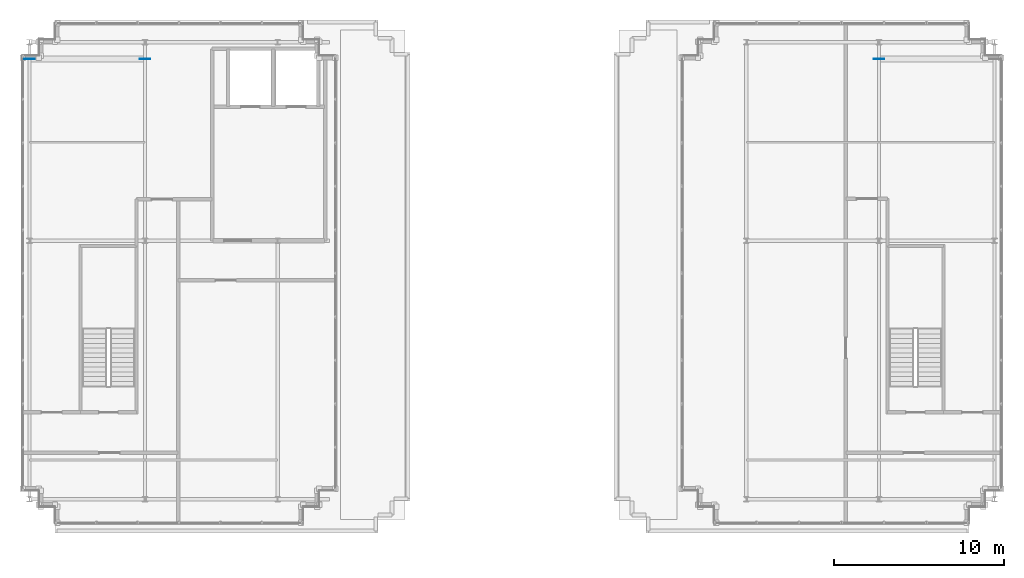
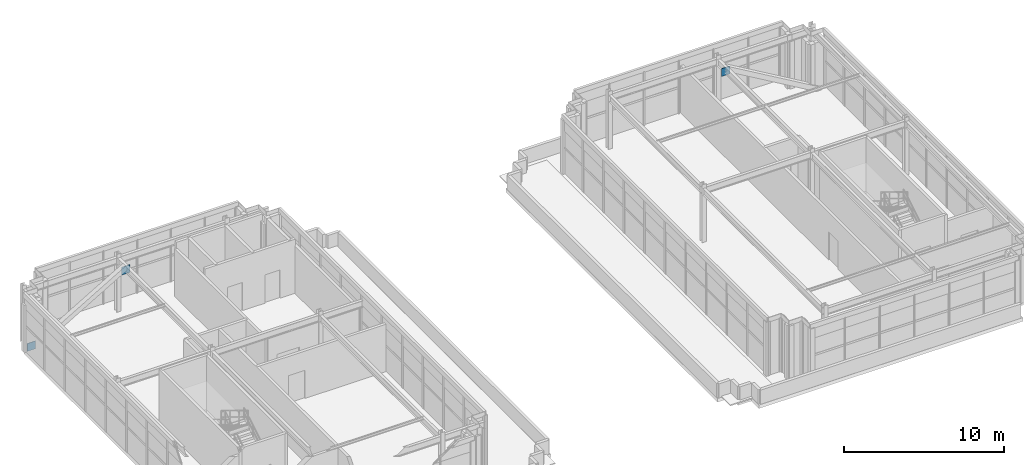
# One storey, part 23 of 28: 3 plates.
"""IFC4 building model written with IfcOpenShell, lengths in metres."""

from ifc_helpers import new_model, si_unit, direction, frame, origin, origin_2d, place, context, subcontext, project, spatial, rectangle, extrude, source, transform, mapped, material, layer, layer_set, type_object, element, save


model = new_model("IFC4")

# Units and contexts
model_context = context("Model", 3, precision=1e-05, world=origin(), true_north=direction((0.0, 1.0)))
body_context = subcontext(model_context, "Body", "Model", "MODEL_VIEW")
ifc_project = project(units=[si_unit("LENGTHUNIT", "METRE"), si_unit("AREAUNIT", "SQUARE_METRE"), si_unit("VOLUMEUNIT", "CUBIC_METRE"), si_unit("PLANEANGLEUNIT", "RADIAN"), si_unit("MASSUNIT", "GRAM", prefix="KILO")], contexts=[model_context])

# Site, building, storey
site_placement = place(None, origin())
site = spatial("IfcSite", under=ifc_project, at=site_placement, CompositionType="ELEMENT")
building_placement = place(site_placement, origin())
building = spatial("IfcBuilding", under=site, at=building_placement, Name="Trelvane Seafront Commons", CompositionType="ELEMENT")
storey_placement = place(building_placement, frame((0.0, 0.0, 312.300048828125)))
storey = spatial("IfcBuildingStorey", under=building, at=storey_placement, Name="L81", CompositionType="ELEMENT", Elevation=312.300048828125)

# Plates
ifc_material = material(Name="Steel SM355 (S355)", Category="steel")
ifc_layer = layer(ifc_material, 0.031982421875, Name="STR-PLT-GUS2")
ifc_layer_set = layer_set([ifc_layer], Name="Steel SM355 (S355)")
plate_type = type_object("IfcPlateType", Name="STR-PLT-GUS2", PredefinedType="SHEET", material=ifc_layer_set)
shared_shape = source(origin(), body_context, "Body", "SweptSolid", [
    extrude(rectangle(XDim=0.60009765625, YDim=0.031982421875, at=origin_2d()), origin(), (0.0, 0.0, 1.0), 0.60009765625),
])
for number, where, z_axis, x_axis, name in (
    (1, (8.800048828125, 44.10009765625, -0.02001953125), (0.0, 0.0, 1.0), (1.0, 0.0, 0.0), "L81 Brace Connection Gusset Plate GP-131"),
    (2, (15.60009765625, 44.10009765625, 3.409912109375), (0.0, 0.0, 1.0), (1.0, 0.0, 0.0), "L81 Brace Connection Gusset Plate GP-132"),
    (3, (58.800048828125, 44.10009765625, 3.409912109375), (0.0, 0.0, 1.0), (1.0, 0.0, 0.0), "L81 Brace Connection Gusset Plate GP-134"),
):
    element("IfcPlate", number, at=place(storey_placement, frame(where, z_axis=z_axis, x_axis=x_axis)), inside=storey, type_object=plate_type, Name=name, PredefinedType="SHEET", context=body_context, shape_type="MappedRepresentation", body=[
        mapped(shared_shape, transform((0.0, 0.0, 0.0), x_axis=(1.0, 0.0, 0.0), y_axis=(0.0, 1.0, 0.0), z_axis=(0.0, 0.0, 1.0), scale=1.0)),
    ])

save(model, "model.ifc")
